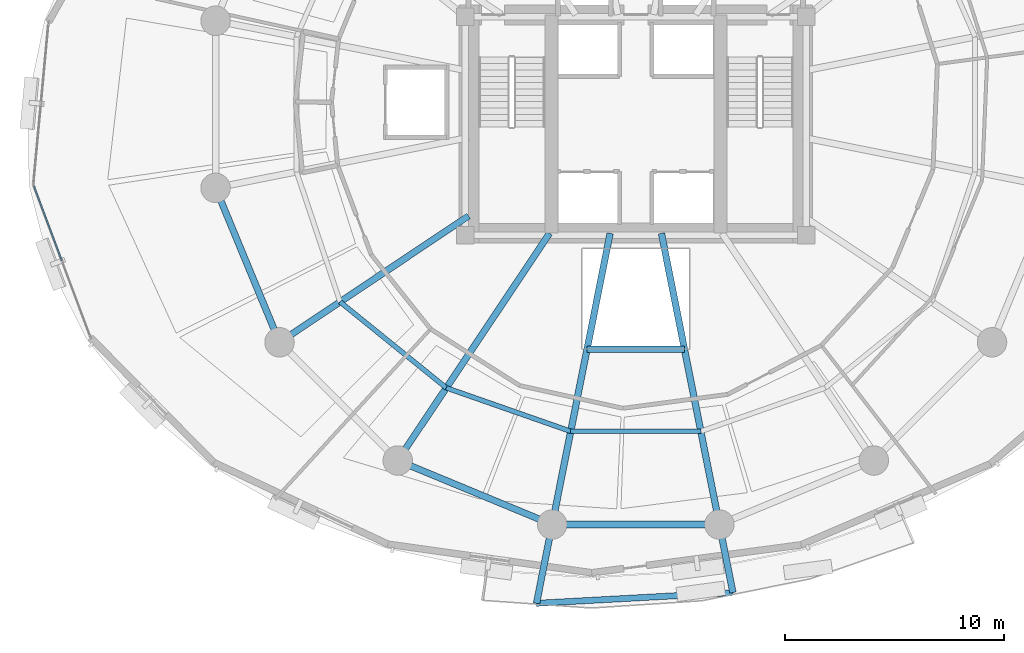
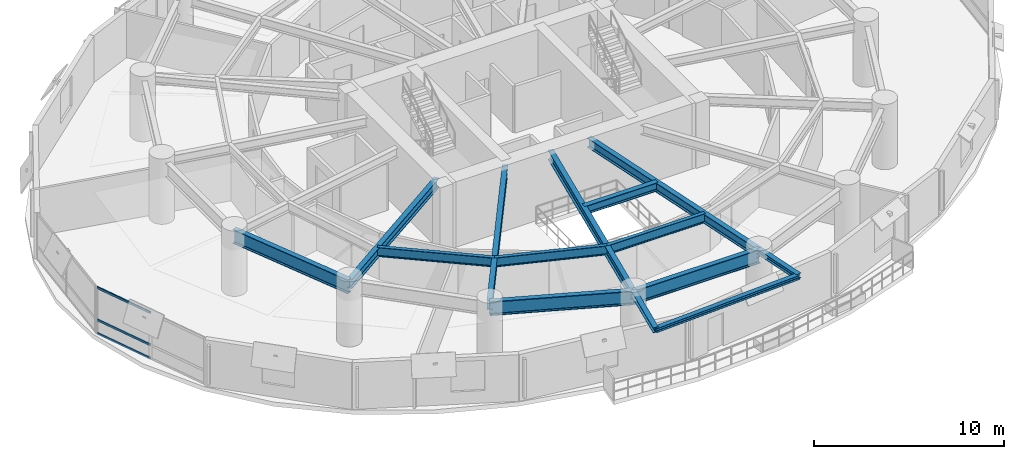
# One storey, part 3 of 17: 14 beams, 3 members, 1 element without a shape of its own.
"""IFC4 building model written with IfcOpenShell, lengths in metres."""

from ifc_helpers import new_model, si_unit, direction, frame, origin, origin_2d, place, context, subcontext, project, spatial, hollow_rectangle, i_section, extrude, material, layer, layer_set, material_profile, profile_set, type_object, element, aggregate, save


model = new_model("IFC4")

# Units and contexts
model_context = context("Model", 3, precision=1e-05, world=origin(), true_north=direction((0.0, 1.0)))
body_context = subcontext(model_context, "Body", "Model", "MODEL_VIEW")
ifc_project = project(units=[si_unit("LENGTHUNIT", "METRE"), si_unit("AREAUNIT", "SQUARE_METRE"), si_unit("VOLUMEUNIT", "CUBIC_METRE"), si_unit("PLANEANGLEUNIT", "RADIAN"), si_unit("MASSUNIT", "GRAM", prefix="KILO"), si_unit("THERMODYNAMICTEMPERATUREUNIT", "KELVIN"), si_unit("POWERUNIT", "WATT")], contexts=[model_context])

# Site, building, storey
site_placement = place(None, origin())
site = spatial("IfcSite", under=ifc_project, at=site_placement, CompositionType="ELEMENT")
building_placement = place(site_placement, origin())
building = spatial("IfcBuilding", under=site, at=building_placement, Name="Ocrelia Relay Tower", CompositionType="ELEMENT")
storey_placement = place(building_placement, frame((0.0, 0.0, 63.60009765625)))
storey = spatial("IfcBuildingStorey", under=building, at=storey_placement, Name="L14", CompositionType="ELEMENT", Elevation=63.60009765625)

# Beams
ifc_material_1 = material(Name="Steel S355", Category="steel")
ifc_material_profile_1 = material_profile(ifc_material_1, i_section(OverallWidth=0.280029296875, OverallDepth=0.27001953125, WebThickness=0.008056640625, FlangeThickness=0.012939453125, FilletRadius=0.02392578125, at=origin_2d()), Name="HEA 280")
ifc_profile_set_1 = profile_set([ifc_material_profile_1], Name="Steel S355")
beam_type_1 = type_object("IfcBeamType", Name="BM-HEA280", PredefinedType="BEAM", material=ifc_profile_set_1)
beam_1_placement = place(storey_placement, frame((29.458984375, 3.1708984375, 3.784912109375), z_axis=(0.998513238664, 0.054509744205, 0.0), x_axis=(-0.054509744205, 0.998513238664, 0.0)))
element("IfcBeam", 1, at=beam_1_placement, inside=storey, type_object=beam_type_1, Name="L15 Balcony Edge Trimmer Beam B2", PredefinedType="BEAM", context=body_context, shape_type="SweptSolid", body=[
    extrude(i_section(OverallWidth=0.280029296875, OverallDepth=0.27001953125, WebThickness=0.008056640625, FlangeThickness=0.012939453125, FilletRadius=0.02392578125, at=origin_2d()), origin(), (0.0, 0.0, 1.0), 8.998046875),
])
ifc_material_profile_2 = material_profile(ifc_material_1, i_section(OverallWidth=0.300048828125, OverallDepth=0.330078125, WebThickness=0.009521484375, FlangeThickness=0.0166015625, FilletRadius=0.027099609375, at=origin_2d()), Name="HEA 340")
ifc_profile_set_2 = profile_set([ifc_material_profile_2], Name="Steel S355")
beam_type_2 = type_object("IfcBeamType", Name="BM-HEA340", PredefinedType="BEAM", material=ifc_profile_set_2)
beam_2_placement = place(storey_placement, frame((30.17626953125, 6.776611328125, 3.7548828125), z_axis=(-0.195107138321, -0.980781935282, 0.0), x_axis=(0.980781935282, -0.195107138321, 0.0)))
element("IfcBeam", 2, at=beam_2_placement, inside=storey, type_object=beam_type_2, Name="L15 Balcony Cantilever Beam B2-1", PredefinedType="BEAM", context=body_context, shape_type="SweptSolid", body=[
    extrude(i_section(OverallWidth=0.300048828125, OverallDepth=0.330078125, WebThickness=0.009521484375, FlangeThickness=0.0166015625, FilletRadius=0.027099609375, at=origin_2d()), origin(), (0.0, 0.0, 1.0), 3.67626953125),
])
beam_3_placement = place(storey_placement, frame((37.82373046875, 6.776611328125, 3.7548828125), z_axis=(0.195155253026, -0.980772362588, 0.0), x_axis=(0.980772362588, 0.195155253026, 0.0)))
element("IfcBeam", 3, at=beam_3_placement, inside=storey, type_object=beam_type_2, Name="L15 Balcony Cantilever Beam B2-2", PredefinedType="BEAM", context=body_context, shape_type="SweptSolid", body=[
    extrude(i_section(OverallWidth=0.300048828125, OverallDepth=0.330078125, WebThickness=0.009521484375, FlangeThickness=0.0166015625, FilletRadius=0.027099609375, at=origin_2d()), origin(), (0.0, 0.0, 1.0), 3.17626953125),
])
ifc_material_profile_3 = material_profile(ifc_material_1, i_section(OverallWidth=0.300048828125, OverallDepth=0.550048828125, WebThickness=0.014892578125, FlangeThickness=0.029052734375, FilletRadius=0.027099609375, at=origin_2d()), Name="HEB 550")
ifc_profile_set_3 = profile_set([ifc_material_profile_3], Name="Steel S355")
beam_type_3 = type_object("IfcBeamType", Name="BM-HEB550", PredefinedType="BEAM", material=ifc_profile_set_3)
beam_4_placement = place(storey_placement, frame((31.772216796875, 14.800048828125, 3.64501953125), z_axis=(1.0, 0.0, 0.0), x_axis=(0.0, 1.0, 0.0)))
element("IfcBeam", 4, at=beam_4_placement, inside=storey, type_object=beam_type_3, Name="L14 Atrium South Trimmer Beam", PredefinedType="BEAM", context=body_context, shape_type="SweptSolid", body=[
    extrude(i_section(OverallWidth=0.300048828125, OverallDepth=0.550048828125, WebThickness=0.014892578125, FlangeThickness=0.029052734375, FilletRadius=0.027099609375, at=origin_2d()), origin(), (0.0, 0.0, 1.0), 4.45556640625),
])
ifc_material_profile_4 = material_profile(ifc_material_1, i_section(OverallWidth=0.300048828125, OverallDepth=0.60009765625, WebThickness=0.015380859375, FlangeThickness=0.030029296875, FilletRadius=0.027099609375, at=origin_2d()), Name="HEB 600")
ifc_profile_set_4 = profile_set([ifc_material_profile_4], Name="Steel S355")
beam_type_4 = type_object("IfcBeamType", Name="BM-HEB600", PredefinedType="BEAM", material=ifc_profile_set_4)
beam_5_placement = place(storey_placement, frame((17.703125, 15.11083984375, 3.619873046875), z_axis=(0.83146868639, 0.555571618743, 0.0), x_axis=(-0.555571618743, 0.83146868639, 0.0)))
element("IfcBeam", 5, at=beam_5_placement, inside=storey, type_object=beam_type_4, Name="L14 Radial Floor Girder R10", PredefinedType="BEAM", context=body_context, shape_type="SweptSolid", body=[
    extrude(i_section(OverallWidth=0.300048828125, OverallDepth=0.60009765625, WebThickness=0.015380859375, FlangeThickness=0.030029296875, FilletRadius=0.027099609375, at=origin_2d()), origin(), (0.0, 0.0, 1.0), 10.405517578125),
])
beam_6_placement = place(storey_placement, frame((23.11083984375, 9.703125, 3.619873046875), z_axis=(0.555569912646, 0.831469826369, 0.0), x_axis=(-0.831469826369, 0.555569912646, 0.0)))
element("IfcBeam", 6, at=beam_6_placement, inside=storey, type_object=beam_type_4, Name="L14 Radial Floor Girder R11", PredefinedType="BEAM", context=body_context, shape_type="SweptSolid", body=[
    extrude(i_section(OverallWidth=0.300048828125, OverallDepth=0.60009765625, WebThickness=0.015380859375, FlangeThickness=0.030029296875, FilletRadius=0.027099609375, at=origin_2d()), origin(), (0.0, 0.0, 1.0), 12.498046875),
])
for number, where, z_axis, x_axis, name in (
    (7, (30.17626953125, 6.776611328125, 3.619873046875), (0.195089155229, 0.980785512491, 0.0), (-0.980785512491, 0.195089155229, 0.0), "L14 Radial Floor Girder R12"),
    (8, (37.82373046875, 6.776611328125, 3.619873046875), (-0.195089155229, 0.980785512491, 0.0), (-0.980785512491, -0.195089155229, 0.0), "L14 Radial Floor Girder R13"),
):
    element("IfcBeam", number, at=place(storey_placement, frame(where, z_axis=z_axis, x_axis=x_axis)), inside=storey, type_object=beam_type_4, Name=name, PredefinedType="BEAM", context=body_context, shape_type="SweptSolid", body=[
        extrude(i_section(OverallWidth=0.300048828125, OverallDepth=0.60009765625, WebThickness=0.015380859375, FlangeThickness=0.030029296875, FilletRadius=0.027099609375, at=origin_2d()), origin(), (0.0, 0.0, 1.0), 13.579345703125),
    ])
ifc_material_profile_5 = material_profile(ifc_material_1, i_section(OverallWidth=0.300048828125, OverallDepth=0.89990234375, WebThickness=0.0185546875, FlangeThickness=0.034912109375, FilletRadius=0.030029296875, at=origin_2d()), Name="HEB 900")
ifc_profile_set_5 = profile_set([ifc_material_profile_5], Name="Steel S355")
beam_type_5 = type_object("IfcBeamType", Name="BM-HEB900", PredefinedType="BEAM", material=ifc_profile_set_5)
for number, where, z_axis, x_axis, name in (
    (9, (14.776611328125, 22.17626953125, 3.469970703125), (0.382674154222, -0.923883375589, 0.0), (0.923883375589, 0.382674154222, 0.0), "L14 Perimeter Spandrel Beam S09"),
    (10, (23.11083984375, 9.703125, 3.469970703125), (0.923883375589, -0.382674154222, 0.0), (0.382674154222, 0.923883375589, 0.0), "L14 Perimeter Spandrel Beam S11"),
    (11, (30.17626953125, 6.776611328125, 3.469970703125), (1.0, 0.0, 0.0), (0.0, 1.0, 0.0), "L14 Perimeter Spandrel Beam S12"),
):
    element("IfcBeam", number, at=place(storey_placement, frame(where, z_axis=z_axis, x_axis=x_axis)), inside=storey, type_object=beam_type_5, Name=name, PredefinedType="BEAM", context=body_context, shape_type="SweptSolid", body=[
        extrude(i_section(OverallWidth=0.300048828125, OverallDepth=0.89990234375, WebThickness=0.0185546875, FlangeThickness=0.034912109375, FilletRadius=0.030029296875, at=origin_2d()), origin(), (0.0, 0.0, 1.0), 7.6474609375),
    ])
ifc_material_profile_6 = material_profile(ifc_material_1, i_section(OverallWidth=0.219970703125, OverallDepth=0.60009765625, WebThickness=0.011962890625, FlangeThickness=0.01904296875, FilletRadius=0.02392578125, at=origin_2d()), Name="IPE 600")
ifc_profile_set_6 = profile_set([ifc_material_profile_6], Name="Steel S355")
beam_type_6 = type_object("IfcBeamType", Name="BM-IPE600", PredefinedType="JOIST", material=ifc_profile_set_6)
beam_7_placement = place(storey_placement, frame((20.4716796875, 16.960693359375, 3.619873046875), z_axis=(0.77748215158, -0.628905003935, 0.0), x_axis=(0.628905003935, 0.77748215158, 0.0)))
element("IfcBeam", 12, at=beam_7_placement, inside=storey, type_object=beam_type_6, Name="L14 Secondary Floor Joist J10", PredefinedType="JOIST", context=body_context, shape_type="SweptSolid", body=[
    extrude(i_section(OverallWidth=0.219970703125, OverallDepth=0.60009765625, WebThickness=0.011962890625, FlangeThickness=0.01904296875, FilletRadius=0.02392578125, at=origin_2d()), origin(), (0.0, 0.0, 1.0), 6.25244140625),
])
beam_8_placement = place(storey_placement, frame((25.332763671875, 13.028564453125, 3.619873046875), z_axis=(0.943957429675, -0.330067221882, 0.0), x_axis=(0.330067221882, 0.943957429675, 0.0)))
element("IfcBeam", 13, at=beam_8_placement, inside=storey, type_object=beam_type_6, Name="L14 Secondary Floor Joist J11", PredefinedType="JOIST", context=body_context, shape_type="SweptSolid", body=[
    extrude(i_section(OverallWidth=0.219970703125, OverallDepth=0.60009765625, WebThickness=0.011962890625, FlangeThickness=0.01904296875, FilletRadius=0.02392578125, at=origin_2d()), origin(), (0.0, 0.0, 1.0), 6.029052734375),
])
beam_9_placement = place(storey_placement, frame((31.02392578125, 11.03857421875, 3.619873046875), z_axis=(1.0, 0.0, 0.0), x_axis=(0.0, 1.0, 0.0)))
element("IfcBeam", 14, at=beam_9_placement, inside=storey, type_object=beam_type_6, Name="L14 Secondary Floor Joist J12", PredefinedType="JOIST", context=body_context, shape_type="SweptSolid", body=[
    extrude(i_section(OverallWidth=0.219970703125, OverallDepth=0.60009765625, WebThickness=0.011962890625, FlangeThickness=0.01904296875, FilletRadius=0.02392578125, at=origin_2d()), origin(), (0.0, 0.0, 1.0), 5.9521484375),
])

# Curtain wall, members
ifc_material_2 = material(Name="Aluminium and solar-control low-E glass", Category="aluminium")
ifc_layer = layer(ifc_material_2, 0.179931640625, Name="Aluminium and solar-control low-E glass")
ifc_layer_set = layer_set([ifc_layer], Name="Aluminium and solar-control low-E glass")
curtain_wall_type = type_object("IfcCurtainWallType", Name="CW-SYS-Z1-DATA", PredefinedType="NOTDEFINED", material=ifc_layer_set)
curtain_wall_placement = place(storey_placement, origin())
curtain_wall = element("IfcCurtainWall", 15, at=curtain_wall_placement, inside=storey, type_object=curtain_wall_type, Name="L14 Elliptical Tower Curtain Wall Bay 10", PredefinedType="NOTDEFINED")
ifc_material_3 = material(Name="Anodised bronze aluminium", Category="aluminium")
ifc_material_profile_7 = material_profile(ifc_material_3, hollow_rectangle(XDim=0.06494140625, YDim=0.139892578125, WallThickness=0.0048828125, at=origin_2d()), Name="CW-TRN-140x65")
ifc_profile_set_7 = profile_set([ifc_material_profile_7], Name="Anodised bronze aluminium")
member_type = type_object("IfcMemberType", Name="CW-SYS-Z1-DATA-TRN", PredefinedType="USERDEFINED", material=ifc_profile_set_7)
member_1_placement = place(storey_placement, frame((6.46875, 22.2578125, 0.032470703125), z_axis=(0.351211818822, -0.936296031349, 0.0), x_axis=(0.936296031349, 0.351211818822, 0.0)))
member_1 = element("IfcMember", 16, at=member_1_placement, type_object=member_type, Name="CW-Z1 transom 1.1", ObjectType="TRANSOM", PredefinedType="USERDEFINED", context=body_context, shape_type="SweptSolid", body=[
    extrude(hollow_rectangle(XDim=0.06494140625, YDim=0.139892578125, WallThickness=0.0048828125, at=origin_2d()), origin(), (0.0, 0.0, 1.0), 3.6328125),
])
member_2_placement = place(storey_placement, frame((6.46875, 22.2578125, 0.89990234375), z_axis=(0.351211818822, -0.936296031349, 0.0), x_axis=(0.936296031349, 0.351211818822, 0.0)))
member_2 = element("IfcMember", 17, at=member_2_placement, type_object=member_type, Name="CW-Z1 transom 1.2", ObjectType="TRANSOM", PredefinedType="USERDEFINED", context=body_context, shape_type="SweptSolid", body=[
    extrude(hollow_rectangle(XDim=0.06494140625, YDim=0.139892578125, WallThickness=0.0048828125, at=origin_2d()), origin(), (0.0, 0.0, 1.0), 3.6328125),
])
member_3_placement = place(storey_placement, frame((6.46875, 22.2578125, 2.96728515625), z_axis=(0.351211818822, -0.936296031349, 0.0), x_axis=(0.936296031349, 0.351211818822, 0.0)))
member_3 = element("IfcMember", 18, at=member_3_placement, type_object=member_type, Name="CW-Z1 transom 1.3", ObjectType="TRANSOM", PredefinedType="USERDEFINED", context=body_context, shape_type="SweptSolid", body=[
    extrude(hollow_rectangle(XDim=0.06494140625, YDim=0.139892578125, WallThickness=0.0048828125, at=origin_2d()), origin(), (0.0, 0.0, 1.0), 3.6328125),
])
aggregate(curtain_wall, [member_1, member_2, member_3])

save(model, "model.ifc")
